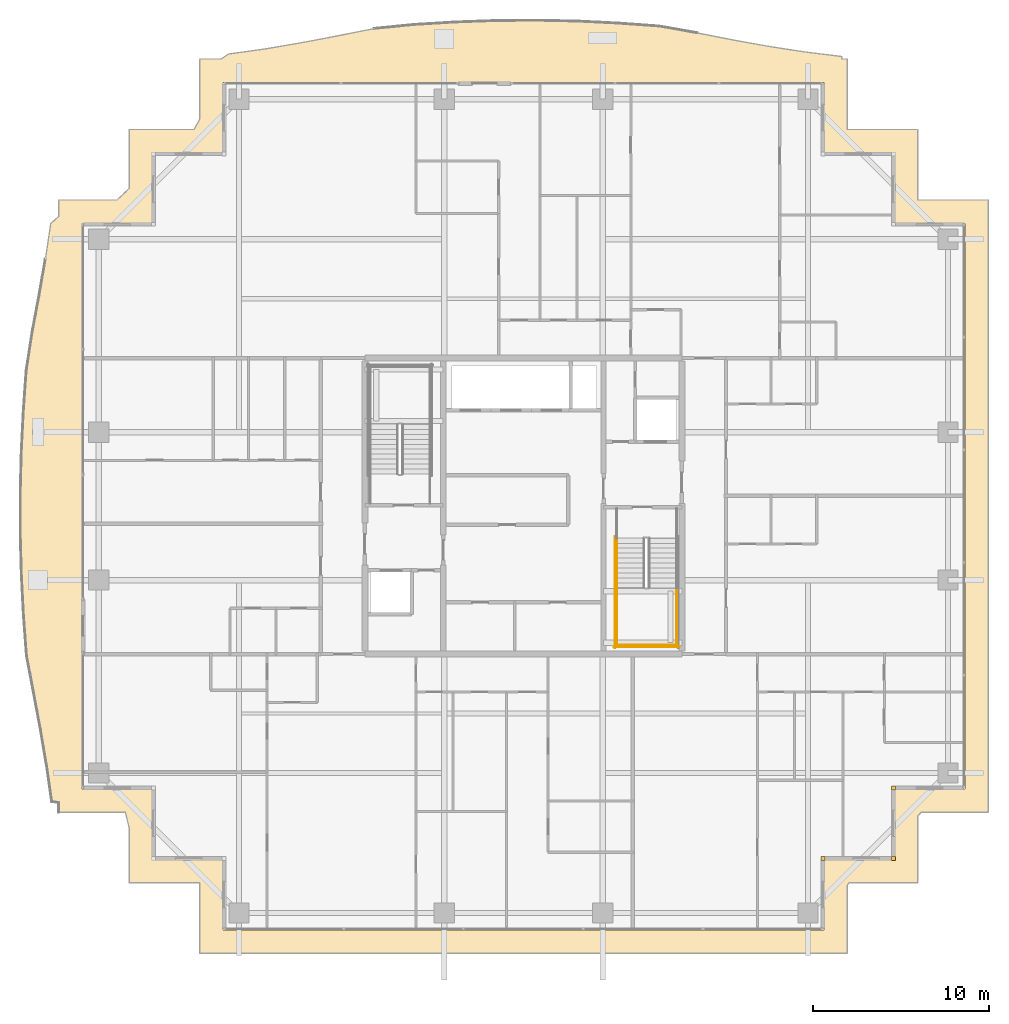
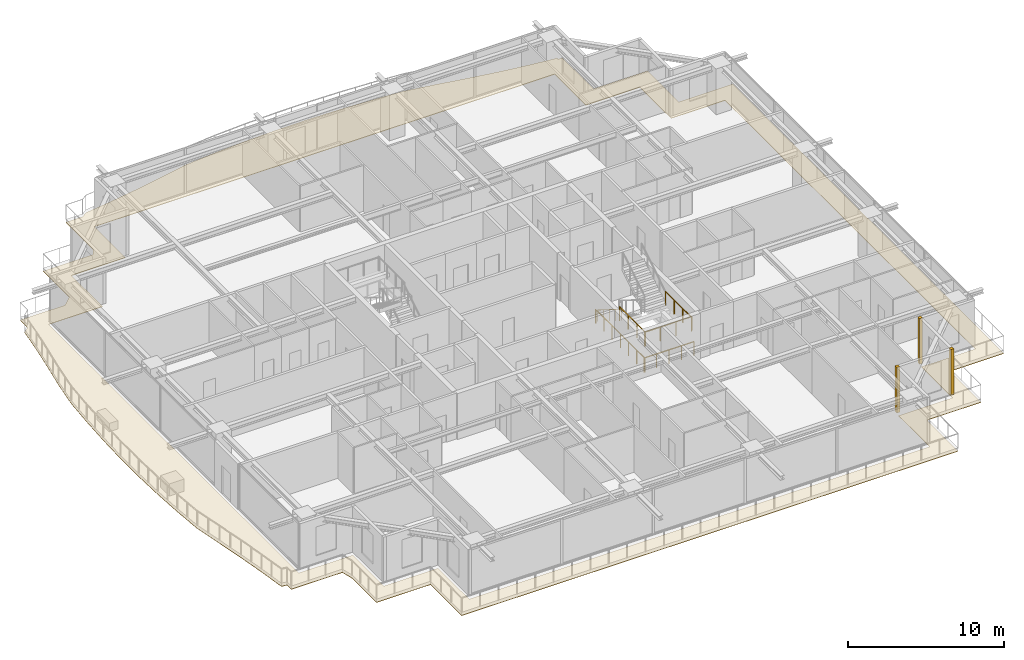
# One storey, part 36 of 38: 6 railings, 4 coverings.
"""IFC4 building model written with IfcOpenShell, lengths in metres."""

from ifc_helpers import new_model, si_unit, direction, frame, origin, origin_2d, place, context, subcontext, project, spatial, polyline, rectangle, circle, outline, extrude, source, transform, mapped, material, layer, layer_set, type_object, element, save


model = new_model("IFC4")

# Units and contexts
model_context = context("Model", 3, precision=1e-05, world=origin(), true_north=direction((0.0, 1.0)))
body_context = subcontext(model_context, "Body", "Model", "MODEL_VIEW")
ifc_project = project(units=[si_unit("LENGTHUNIT", "METRE"), si_unit("AREAUNIT", "SQUARE_METRE"), si_unit("VOLUMEUNIT", "CUBIC_METRE"), si_unit("PLANEANGLEUNIT", "RADIAN"), si_unit("MASSUNIT", "GRAM", prefix="KILO")], contexts=[model_context])

# Site, building, storey
site_placement = place(None, origin())
site = spatial("IfcSite", under=ifc_project, at=site_placement, CompositionType="ELEMENT")
building_placement = place(site_placement, origin())
building = spatial("IfcBuilding", under=site, at=building_placement, Name="Serunith Strait Residences", CompositionType="ELEMENT")
storey_placement = place(building_placement, frame((0.0, 0.0, 268.199951171875)))
storey = spatial("IfcBuildingStorey", under=building, at=storey_placement, Name="L67", CompositionType="ELEMENT", Elevation=268.199951171875)

# Covering
ifc_material_1 = material(Name="Golden Teak Exterior Timber Boarding", Category="wood")
ifc_layer_1 = layer(ifc_material_1, 0.034912109375, Name="Golden Teak Exterior Timber Boarding")
ifc_layer_set_1 = layer_set([ifc_layer_1], Name="Golden Teak Exterior Timber Boarding")
covering_type_1 = type_object("IfcCoveringType", Name="COV-TEAK-SOFFIT", PredefinedType="CEILING", material=ifc_layer_set_1)
covering_placement = place(storey_placement, frame((0.0, 0.0, -0.324951171875)))
element("IfcCovering", 1, at=covering_placement, inside=storey, type_object=covering_type_1, Name="L67 Golden-Teak Balcony Soffit Lining", PredefinedType="CEILING", context=body_context, shape_type="SweptSolid", body=[
    extrude(outline(polyline([(6.02001953125, 7.820068359375), (6.02001953125, 8.36181640625), (5.633544921875, 8.426513671875), (5.341552734375, 10.453125), (4.994873046875, 12.502197265625), (4.605224609375, 14.591796875), (4.19921875, 16.73974609375), (4.03125, 19.006103515625), (3.91259765625, 21.306640625), (3.849609375, 23.629638671875), (3.847900390625, 25.96142578125), (3.90771484375, 28.28662109375), (4.022216796875, 30.591796875), (4.18115234375, 32.8662109375), (4.51416015625, 35.052978515625), (4.90966796875, 37.158203125), (5.26708984375, 39.21875), (5.57177734375, 41.252197265625), (6.02001953125, 41.63134765625), (6.02001953125, 42.580078125), (9.328125, 42.580078125), (10.02001953125, 43.22705078125), (10.02001953125, 46.580078125), (13.70654296875, 46.580078125), (14.02001953125, 47.147216796875), (14.02001953125, 50.580078125), (15.245849609375, 50.580078125), (15.649169921875, 50.861083984375), (17.671630859375, 51.143310546875), (19.712890625, 51.48681640625), (21.791748046875, 51.8828125), (23.928955078125, 52.307373046875), (26.184326171875, 52.529541015625), (28.4892578125, 52.67041015625), (30.8212890625, 52.75439453125), (33.166015625, 52.77197265625), (35.505615234375, 52.72119140625), (37.82421875, 52.607177734375), (40.109130859375, 52.44189453125), (42.28515625, 52.057861328125), (44.383056640625, 51.6455078125), (46.435302734375, 51.2783203125), (48.4619140625, 50.970458984375), (50.478759765625, 50.722900390625), (50.4775390625, 50.580078125), (50.780029296875, 50.580078125), (50.780029296875, 46.580078125), (54.780029296875, 46.580078125), (54.780029296875, 42.580078125), (58.780029296875, 42.580078125), (58.780029296875, 7.820068359375), (54.97509765625, 7.820068359375), (54.780029296875, 7.597900390625), (54.780029296875, 3.820068359375), (50.881103515625, 3.820068359375), (50.780029296875, 3.665283203125), (50.780029296875, -0.179931640625), (14.02001953125, -0.179931640625), (14.02001953125, 3.820068359375), (10.02001953125, 3.820068359375), (10.02001953125, 6.94970703125), (9.805419921875, 7.820068359375), (6.02001953125, 7.820068359375)]), holes=[polyline([(49.455078125, 1.14501953125), (49.455078125, 5.14501953125), (53.455078125, 5.14501953125), (53.455078125, 9.14501953125), (57.455078125, 9.14501953125), (57.455078125, 41.2548828125), (53.455078125, 41.2548828125), (53.455078125, 45.2548828125), (49.455078125, 45.2548828125), (49.455078125, 49.2548828125), (15.344970703125, 49.2548828125), (15.344970703125, 45.2548828125), (11.344970703125, 45.2548828125), (11.344970703125, 41.2548828125), (7.344970703125, 41.2548828125), (7.344970703125, 9.14501953125), (11.344970703125, 9.14501953125), (11.344970703125, 5.14501953125), (15.344970703125, 5.14501953125), (15.344970703125, 1.14501953125), (49.455078125, 1.14501953125)])]), origin(), (0.0, 0.0, 1.0), 0.034912109375),
])

# Railings
ifc_material_2 = material(Name="Brushed stainless steel 316L", Category="steel")
railing_type_1 = type_object("IfcRailingType", Name="RLG-STAIR-GUARD", PredefinedType="BALUSTRADE", material=ifc_material_2)
for number, where, name in (
    (2, (37.699951171875, 20.570068359375, 1.925048828125), "L67 ST-2 stair guard 3"),
    (3, (41.10009765625, 20.570068359375, 1.925048828125), "L67 ST-2 stair guard 4"),
):
    element("IfcRailing", number, at=place(storey_placement, frame(where)), inside=storey, type_object=railing_type_1, Name=name, PredefinedType="BALUSTRADE", context=body_context, shape_type="SweptSolid", body=[
        extrude(circle(Radius=0.02392578125, at=origin_2d()), frame((0.0, -0.001953125, 1.076171875), z_axis=(0.0, -1.0, 0.0), x_axis=(1.0, 0.0, 0.0)), (0.0, 0.0, 1.0), 3.316162109375),
        extrude(circle(Radius=0.02099609375, at=origin_2d()), origin(), (0.0, 0.0, 1.0), 1.050048828125),
        extrude(circle(Radius=0.02099609375, at=origin_2d()), frame((0.0, -1.106689453125, 0.0)), (0.0, 0.0, 1.0), 1.050048828125),
        extrude(circle(Radius=0.02099609375, at=origin_2d()), frame((0.0, -2.21337890625, 0.0)), (0.0, 0.0, 1.0), 1.050048828125),
        extrude(circle(Radius=0.02099609375, at=origin_2d()), frame((0.0, -3.320068359375, 0.0)), (0.0, 0.0, 1.0), 1.050048828125),
    ])
railing_1_placement = place(storey_placement, frame((37.64990234375, 17.300048828125, 1.925048828125)))
element("IfcRailing", 4, at=railing_1_placement, inside=storey, type_object=railing_type_1, Name="L67 ST-2 stair guard 5", PredefinedType="BALUSTRADE", context=body_context, shape_type="SweptSolid", body=[
    extrude(circle(Radius=0.02392578125, at=origin_2d()), frame((0.001953125, 0.0, 1.076171875), z_axis=(1.0, 0.0, 0.0), x_axis=(0.0, 1.0, 0.0)), (0.0, 0.0, 1.0), 3.49609375),
    extrude(circle(Radius=0.02099609375, at=origin_2d()), origin(), (0.0, 0.0, 1.0), 1.050048828125),
    extrude(circle(Radius=0.02099609375, at=origin_2d()), frame((1.166748046875, 0.0, 0.0)), (0.0, 0.0, 1.0), 1.050048828125),
    extrude(circle(Radius=0.02099609375, at=origin_2d()), frame((2.333251953125, 0.0, 0.0)), (0.0, 0.0, 1.0), 1.050048828125),
    extrude(circle(Radius=0.02099609375, at=origin_2d()), frame((3.5, 0.0, 0.0)), (0.0, 0.0, 1.0), 1.050048828125),
])
railing_2_placement = place(storey_placement, frame((37.60009765625, 23.469970703125, 0.0)))
element("IfcRailing", 5, at=railing_2_placement, inside=storey, type_object=railing_type_1, Name="L67 ST-2 stair guard 10", PredefinedType="BALUSTRADE", context=body_context, shape_type="SweptSolid", body=[
    extrude(circle(Radius=0.02392578125, at=origin_2d()), frame((0.0, -0.001953125, 1.076171875), z_axis=(0.0, -1.0, 0.0), x_axis=(1.0, 0.0, 0.0)), (0.0, 0.0, 1.0), 6.316162109375),
    extrude(circle(Radius=0.02099609375, at=origin_2d()), origin(), (0.0, 0.0, 1.0), 1.050048828125),
    extrude(circle(Radius=0.02099609375, at=origin_2d()), frame((0.0, -1.05322265625, 0.0)), (0.0, 0.0, 1.0), 1.050048828125),
    extrude(circle(Radius=0.02099609375, at=origin_2d()), frame((0.0, -2.106689453125, 0.0)), (0.0, 0.0, 1.0), 1.050048828125),
    extrude(circle(Radius=0.02099609375, at=origin_2d()), frame((0.0, -3.16015625, 0.0)), (0.0, 0.0, 1.0), 1.050048828125),
    extrude(circle(Radius=0.02099609375, at=origin_2d()), frame((0.0, -4.21337890625, 0.0)), (0.0, 0.0, 1.0), 1.050048828125),
    extrude(circle(Radius=0.02099609375, at=origin_2d()), frame((0.0, -5.2666015625, 0.0)), (0.0, 0.0, 1.0), 1.050048828125),
    extrude(circle(Radius=0.02099609375, at=origin_2d()), frame((0.0, -6.320068359375, 0.0)), (0.0, 0.0, 1.0), 1.050048828125),
])
railing_3_placement = place(storey_placement, frame((37.550048828125, 17.199951171875, 0.0)))
element("IfcRailing", 6, at=railing_3_placement, inside=storey, type_object=railing_type_1, Name="L67 ST-2 stair guard 12", PredefinedType="BALUSTRADE", context=body_context, shape_type="SweptSolid", body=[
    extrude(circle(Radius=0.02392578125, at=origin_2d()), frame((0.001953125, 0.0, 1.076171875), z_axis=(1.0, 0.0, 0.0), x_axis=(0.0, 1.0, 0.0)), (0.0, 0.0, 1.0), 3.696044921875),
    extrude(circle(Radius=0.02099609375, at=origin_2d()), origin(), (0.0, 0.0, 1.0), 1.050048828125),
    extrude(circle(Radius=0.02099609375, at=origin_2d()), frame((0.925048828125, 0.0, 0.0)), (0.0, 0.0, 1.0), 1.050048828125),
    extrude(circle(Radius=0.02099609375, at=origin_2d()), frame((1.85009765625, 0.0, 0.0)), (0.0, 0.0, 1.0), 1.050048828125),
    extrude(circle(Radius=0.02099609375, at=origin_2d()), frame((2.77490234375, 0.0, 0.0)), (0.0, 0.0, 1.0), 1.050048828125),
    extrude(circle(Radius=0.02099609375, at=origin_2d()), frame((3.699951171875, 0.0, 0.0)), (0.0, 0.0, 1.0), 1.050048828125),
])
railing_type_2 = type_object("IfcRailingType", Name="RLG-STAIR-HR", PredefinedType="HANDRAIL", material=ifc_material_2)
railing_4_placement = place(storey_placement, frame((37.699951171875, 23.3701171875, 0.175048828125)))
element("IfcRailing", 7, at=railing_4_placement, inside=storey, type_object=railing_type_2, Name="L67 ST-2 stair handrail 1", PredefinedType="HANDRAIL", context=body_context, shape_type="SweptSolid", body=[
    extrude(circle(Radius=0.02392578125, at=origin_2d()), frame((0.0, -0.001708984375, 0.876953125), z_axis=(0.0, -0.847393994688, 0.530964610654), x_axis=(1.0, 0.0, 0.0)), (0.0, 0.0, 1.0), 3.630859375),
    extrude(circle(Radius=0.02099609375, at=origin_2d()), origin(), (0.0, 0.0, 1.0), 0.849853515625),
    extrude(circle(Radius=0.02099609375, at=origin_2d()), frame((0.0, -0.77001953125, 0.482421875)), (0.0, 0.0, 1.0), 0.849853515625),
    extrude(circle(Radius=0.02099609375, at=origin_2d()), frame((0.0, -1.5400390625, 0.96484375)), (0.0, 0.0, 1.0), 0.849853515625),
    extrude(circle(Radius=0.02099609375, at=origin_2d()), frame((0.0, -2.31005859375, 1.447509765625)), (0.0, 0.0, 1.0), 0.849853515625),
    extrude(circle(Radius=0.02099609375, at=origin_2d()), frame((0.0, -3.080078125, 1.929931640625)), (0.0, 0.0, 1.0), 0.849853515625),
])

# Coverings
ifc_material_3 = material(Name="Pale-Champagne Anodised Aluminium", Category="aluminium")
ifc_layer_2 = layer(ifc_material_3, 0.219970703125, Name="Pale-Champagne Anodised Aluminium")
ifc_layer_set_2 = layer_set([ifc_layer_2], Name="Pale-Champagne Anodised Aluminium")
covering_type_2 = type_object("IfcCoveringType", Name="COV-CORN-TRIM", PredefinedType="CLADDING", material=ifc_layer_set_2)
shared_shape = source(origin(), body_context, "Body", "SweptSolid", [
    extrude(rectangle(XDim=0.221923828125, YDim=0.221923828125, at=origin_2d()), origin(), (0.0, 0.0, 1.0), 3.574951171875),
])
for number, where, z_axis, x_axis, name in (
    (8, (49.39990234375, 5.199951171875, 0.0), (0.0, 0.0, 1.0), (1.0, 0.0, 0.0), "L67 Girih Serrated Corner Trim Post 02"),
    (9, (53.39990234375, 5.199951171875, 0.0), (0.0, 0.0, 1.0), (1.0, 0.0, 0.0), "L67 Girih Serrated Corner Trim Post 03"),
    (10, (53.39990234375, 9.199951171875, 0.0), (0.0, 0.0, 1.0), (1.0, 0.0, 0.0), "L67 Girih Serrated Corner Trim Post 04"),
):
    element("IfcCovering", number, at=place(storey_placement, frame(where, z_axis=z_axis, x_axis=x_axis)), inside=storey, type_object=covering_type_2, Name=name, PredefinedType="CLADDING", context=body_context, shape_type="MappedRepresentation", body=[
        mapped(shared_shape, transform((0.0, 0.0, 0.0), scale=1.0)),
    ])

save(model, "model.ifc")
